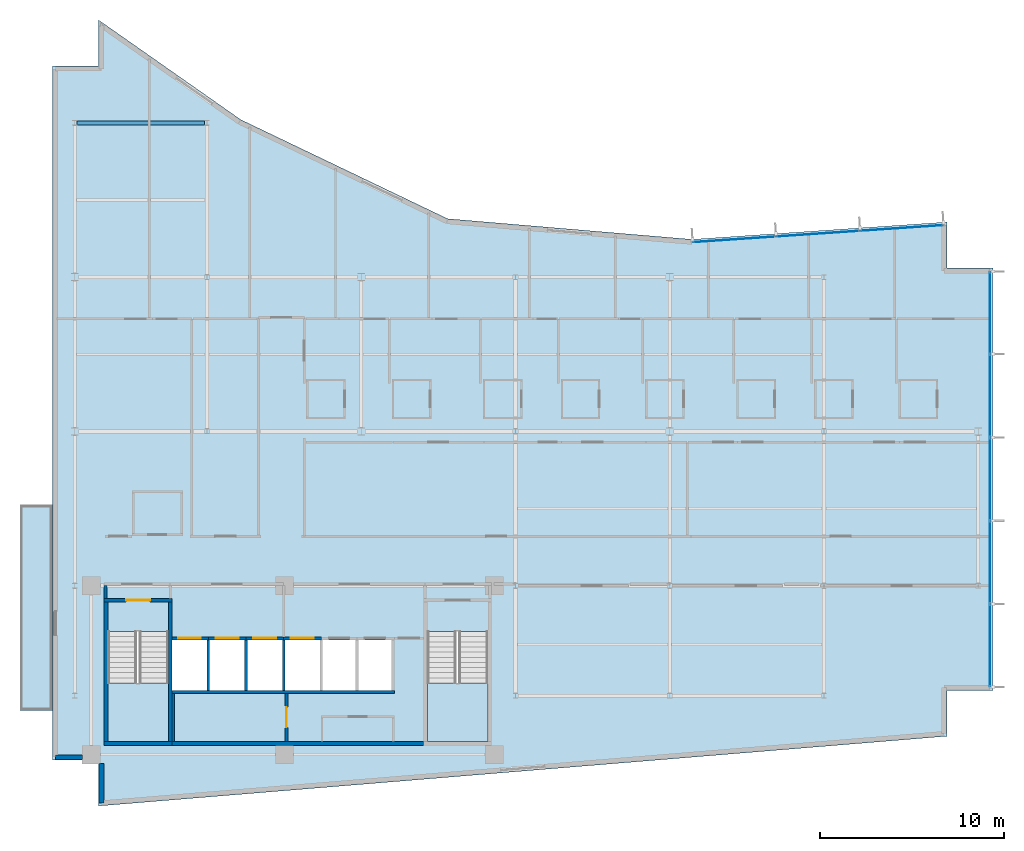
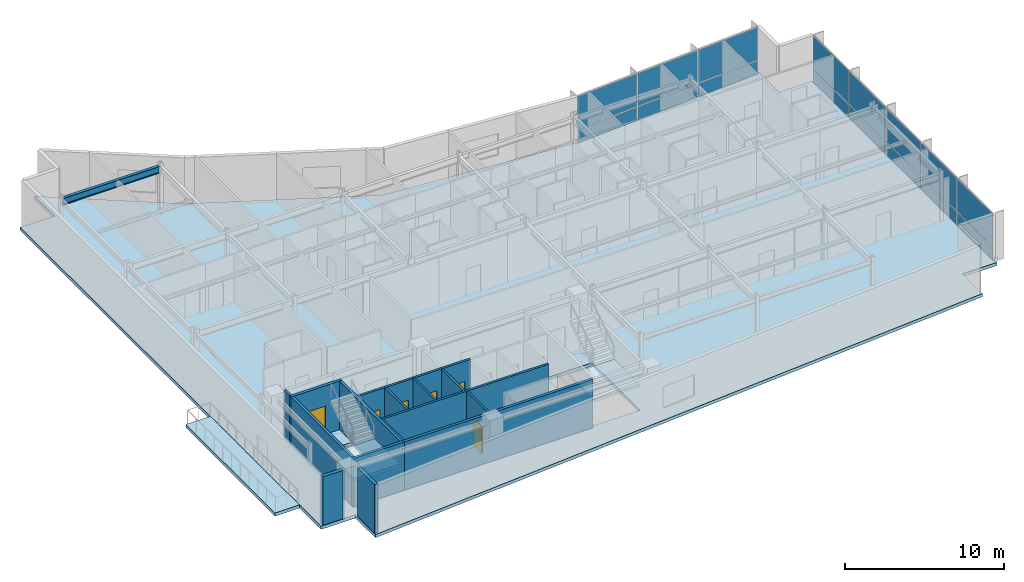
# One storey, part 10 of 17: 18 walls, 16 plates, 6 doors, 4 slabs, 1 beam, 6 openings, 4 elements without a shape of their own.
"""IFC4 building model written with IfcOpenShell, lengths in metres."""

from ifc_helpers import new_model, si_unit, direction, frame, frame_2d, origin, origin_2d, place, context, subcontext, project, spatial, polyline, rectangle, i_section, outline, extrude, material, layer, layer_set, material_profile, profile_set, type_object, element, fill, aggregate, save


model = new_model("IFC4")

# Units and contexts
model_context = context("Model", 3, precision=1e-05, world=origin(), true_north=direction((0.0, 1.0)))
body_context = subcontext(model_context, "Body", "Model", "MODEL_VIEW")
ifc_project = project(units=[si_unit("LENGTHUNIT", "METRE"), si_unit("AREAUNIT", "SQUARE_METRE"), si_unit("VOLUMEUNIT", "CUBIC_METRE"), si_unit("PLANEANGLEUNIT", "RADIAN"), si_unit("MASSUNIT", "GRAM", prefix="KILO")], contexts=[model_context])

# Site, building, storey
site_placement = place(None, origin())
site = spatial("IfcSite", under=ifc_project, at=site_placement, CompositionType="ELEMENT")
building_placement = place(site_placement, origin())
building = spatial("IfcBuilding", under=site, at=building_placement, Name="Varnakote Quay Hospital", CompositionType="ELEMENT")
storey_placement = place(building_placement, frame((0.0, 0.0, 219.75)))
storey = spatial("IfcBuildingStorey", under=building, at=storey_placement, Name="L54", CompositionType="ELEMENT", Elevation=219.75)

# Beam
ifc_material_1 = material(Name="Structural steel AS/NZS 3679.1 Grade 350 L0 (fy 340 MPa)", Category="steel")
ifc_material_profile = material_profile(ifc_material_1, i_section(OverallWidth=0.208984375, OverallDepth=0.532958984375, WebThickness=0.01025390625, FlangeThickness=0.015625, FilletRadius=0.013916015625, at=origin_2d()), Name="530UB92.4")
ifc_profile_set = profile_set([ifc_material_profile], Name="Structural steel AS/NZS 3679.1 Grade 350 L0 (fy 340 MPa)")
beam_type = type_object("IfcBeamType", Name="BM-STL-530UB92-4", PredefinedType="BEAM", material=ifc_profile_set)
beam_placement = place(storey_placement, frame((1.327880859375, 37.199951171875, 3.443603515625), z_axis=(1.0, 0.0, 0.0), x_axis=(0.0, 1.0, 0.0)))
element("IfcBeam", 1, at=beam_placement, inside=storey, type_object=beam_type, Name="L54 Primary Floor Beam", PredefinedType="BEAM", context=body_context, shape_type="SweptSolid", body=[
    extrude(i_section(OverallWidth=0.208984375, OverallDepth=0.532958984375, WebThickness=0.01025390625, FlangeThickness=0.015625, FilletRadius=0.013916015625, at=origin_2d()), origin(), (0.0, 0.0, 1.0), 6.944091796875),
])

# Curtain wall, plates
ifc_material_2 = material(Name="Anodised aluminium 6063-T6 Bronze", Category="aluminium")
ifc_layer_1 = layer(ifc_material_2, 0.219970703125)
ifc_layer_set_1 = layer_set([ifc_layer_1], Name="Anodised aluminium 6063-T6 Bronze")
curtain_wall_type = type_object("IfcCurtainWallType", Name="CW-SYS-4", PredefinedType="NOTDEFINED", material=ifc_layer_set_1)
curtain_wall_1_placement = place(storey_placement, origin())
curtain_wall_1 = element("IfcCurtainWall", 2, at=curtain_wall_1_placement, inside=storey, type_object=curtain_wall_type, Name="L54 Unitised Bronze Curtain Wall 1", PredefinedType="NOTDEFINED")
ifc_material_3 = material(Name="Double-glazed low-E solar glass", Category="glass")
ifc_layer_2 = layer(ifc_material_3, 0.028076171875)
ifc_layer_set_2 = layer_set([ifc_layer_2], Name="Double-glazed low-E solar glass")
plate_type = type_object("IfcPlateType", Name="CW-PNL-GLZ-28", PredefinedType="CURTAIN_PANEL", material=ifc_layer_set_2)
plate_1_placement = place(storey_placement, frame((51.0400390625, 8.744140625, 0.06494140625), z_axis=(0.0, 0.0, 1.0), x_axis=(0.0, 1.0, 0.0)))
plate_1 = element("IfcPlate", 3, at=plate_1_placement, type_object=plate_type, Name="-4-L54-1 panel 1.1", PredefinedType="CURTAIN_PANEL", context=body_context, shape_type="SweptSolid", body=[
    extrude(rectangle(XDim=4.4384765625, YDim=0.028076171875, at=origin_2d()), origin(), (0.0, 0.0, 1.0), 1.00244140625),
])
plate_2_placement = place(storey_placement, frame((51.0400390625, 8.744140625, 1.13232421875), z_axis=(0.0, 0.0, 1.0), x_axis=(0.0, 1.0, 0.0)))
plate_2 = element("IfcPlate", 4, at=plate_2_placement, type_object=plate_type, Name="-4-L54-1 panel 1.2", PredefinedType="CURTAIN_PANEL", context=body_context, shape_type="SweptSolid", body=[
    extrude(rectangle(XDim=4.4384765625, YDim=0.028076171875, at=origin_2d()), origin(), (0.0, 0.0, 1.0), 2.512451171875),
])
plate_3_placement = place(storey_placement, frame((51.0400390625, 13.263916015625, 0.06494140625), z_axis=(0.0, 0.0, 1.0), x_axis=(0.0, 1.0, 0.0)))
plate_3 = element("IfcPlate", 5, at=plate_3_placement, type_object=plate_type, Name="-4-L54-1 panel 2.1", PredefinedType="CURTAIN_PANEL", context=body_context, shape_type="SweptSolid", body=[
    extrude(rectangle(XDim=4.470947265625, YDim=0.028076171875, at=origin_2d()), origin(), (0.0, 0.0, 1.0), 1.00244140625),
])
plate_4_placement = place(storey_placement, frame((51.0400390625, 13.263916015625, 1.13232421875), z_axis=(0.0, 0.0, 1.0), x_axis=(0.0, 1.0, 0.0)))
plate_4 = element("IfcPlate", 6, at=plate_4_placement, type_object=plate_type, Name="-4-L54-1 panel 2.2", PredefinedType="CURTAIN_PANEL", context=body_context, shape_type="SweptSolid", body=[
    extrude(rectangle(XDim=4.470947265625, YDim=0.028076171875, at=origin_2d()), origin(), (0.0, 0.0, 1.0), 2.512451171875),
])
plate_5_placement = place(storey_placement, frame((51.0400390625, 17.800048828125, 0.06494140625), z_axis=(0.0, 0.0, 1.0), x_axis=(0.0, 1.0, 0.0)))
plate_5 = element("IfcPlate", 7, at=plate_5_placement, type_object=plate_type, Name="-4-L54-1 panel 3.1", PredefinedType="CURTAIN_PANEL", context=body_context, shape_type="SweptSolid", body=[
    extrude(rectangle(XDim=4.470947265625, YDim=0.028076171875, at=origin_2d()), origin(), (0.0, 0.0, 1.0), 1.00244140625),
])
plate_6_placement = place(storey_placement, frame((51.0400390625, 17.800048828125, 1.13232421875), z_axis=(0.0, 0.0, 1.0), x_axis=(0.0, 1.0, 0.0)))
plate_6 = element("IfcPlate", 8, at=plate_6_placement, type_object=plate_type, Name="-4-L54-1 panel 3.2", PredefinedType="CURTAIN_PANEL", context=body_context, shape_type="SweptSolid", body=[
    extrude(rectangle(XDim=4.470947265625, YDim=0.028076171875, at=origin_2d()), origin(), (0.0, 0.0, 1.0), 2.512451171875),
])
plate_7_placement = place(storey_placement, frame((51.0400390625, 22.3359375, 0.06494140625), z_axis=(0.0, 0.0, 1.0), x_axis=(0.0, 1.0, 0.0)))
plate_7 = element("IfcPlate", 9, at=plate_7_placement, type_object=plate_type, Name="-4-L54-1 panel 4.1", PredefinedType="CURTAIN_PANEL", context=body_context, shape_type="SweptSolid", body=[
    extrude(rectangle(XDim=4.470947265625, YDim=0.028076171875, at=origin_2d()), origin(), (0.0, 0.0, 1.0), 1.00244140625),
])
plate_8_placement = place(storey_placement, frame((51.0400390625, 22.3359375, 1.13232421875), z_axis=(0.0, 0.0, 1.0), x_axis=(0.0, 1.0, 0.0)))
plate_8 = element("IfcPlate", 10, at=plate_8_placement, type_object=plate_type, Name="-4-L54-1 panel 4.2", PredefinedType="CURTAIN_PANEL", context=body_context, shape_type="SweptSolid", body=[
    extrude(rectangle(XDim=4.470947265625, YDim=0.028076171875, at=origin_2d()), origin(), (0.0, 0.0, 1.0), 2.512451171875),
])
plate_9_placement = place(storey_placement, frame((51.0400390625, 26.855712890625, 0.06494140625), z_axis=(0.0, 0.0, 1.0), x_axis=(0.0, 1.0, 0.0)))
plate_9 = element("IfcPlate", 11, at=plate_9_placement, type_object=plate_type, Name="-4-L54-1 panel 5.1", PredefinedType="CURTAIN_PANEL", context=body_context, shape_type="SweptSolid", body=[
    extrude(rectangle(XDim=4.4384765625, YDim=0.028076171875, at=origin_2d()), origin(), (0.0, 0.0, 1.0), 1.00244140625),
])
plate_10_placement = place(storey_placement, frame((51.0400390625, 26.855712890625, 1.13232421875), z_axis=(0.0, 0.0, 1.0), x_axis=(0.0, 1.0, 0.0)))
plate_10 = element("IfcPlate", 12, at=plate_10_placement, type_object=plate_type, Name="-4-L54-1 panel 5.2", PredefinedType="CURTAIN_PANEL", context=body_context, shape_type="SweptSolid", body=[
    extrude(rectangle(XDim=4.4384765625, YDim=0.028076171875, at=origin_2d()), origin(), (0.0, 0.0, 1.0), 2.512451171875),
])
aggregate(curtain_wall_1, [plate_1, plate_2, plate_3, plate_4, plate_5, plate_6, plate_7, plate_8, plate_9, plate_10])

curtain_wall_2_placement = place(storey_placement, origin())
curtain_wall_2 = element("IfcCurtainWall", 13, at=curtain_wall_2_placement, inside=storey, type_object=curtain_wall_type, Name="L54 Unitised Bronze Curtain Wall 2", PredefinedType="NOTDEFINED")
plate_11_placement = place(storey_placement, frame((46.236328125, 31.47216796875, 0.06494140625), z_axis=(0.0, 0.0, 1.0), x_axis=(-0.997696087615, -0.067841851077, 0.0)))
plate_11 = element("IfcPlate", 14, at=plate_11_placement, type_object=plate_type, Name="-4-L54-2 panel 1.1", PredefinedType="CURTAIN_PANEL", context=body_context, shape_type="SweptSolid", body=[
    extrude(rectangle(XDim=4.48828125, YDim=0.028076171875, at=origin_2d()), origin(), (0.0, 0.0, 1.0), 1.00244140625),
])
plate_12_placement = place(storey_placement, frame((46.236328125, 31.47216796875, 1.13232421875), z_axis=(0.0, 0.0, 1.0), x_axis=(-0.997696087615, -0.067841851077, 0.0)))
plate_12 = element("IfcPlate", 15, at=plate_12_placement, type_object=plate_type, Name="-4-L54-2 panel 1.2", PredefinedType="CURTAIN_PANEL", context=body_context, shape_type="SweptSolid", body=[
    extrude(rectangle(XDim=4.48828125, YDim=0.028076171875, at=origin_2d()), origin(), (0.0, 0.0, 1.0), 2.512451171875),
])
plate_13_placement = place(storey_placement, frame((41.67724609375, 31.162109375, 0.06494140625), z_axis=(0.0, 0.0, 1.0), x_axis=(-0.997696087615, -0.067841851077, 0.0)))
plate_13 = element("IfcPlate", 16, at=plate_13_placement, type_object=plate_type, Name="-4-L54-2 panel 2.1", PredefinedType="CURTAIN_PANEL", context=body_context, shape_type="SweptSolid", body=[
    extrude(rectangle(XDim=4.520751953125, YDim=0.028076171875, at=origin_2d()), origin(), (0.0, 0.0, 1.0), 1.00244140625),
])
plate_14_placement = place(storey_placement, frame((41.67724609375, 31.162109375, 1.13232421875), z_axis=(0.0, 0.0, 1.0), x_axis=(-0.997696087615, -0.067841851077, 0.0)))
plate_14 = element("IfcPlate", 17, at=plate_14_placement, type_object=plate_type, Name="-4-L54-2 panel 2.2", PredefinedType="CURTAIN_PANEL", context=body_context, shape_type="SweptSolid", body=[
    extrude(rectangle(XDim=4.520751953125, YDim=0.028076171875, at=origin_2d()), origin(), (0.0, 0.0, 1.0), 2.512451171875),
])
plate_15_placement = place(storey_placement, frame((37.118408203125, 30.85205078125, 0.06494140625), z_axis=(0.0, 0.0, 1.0), x_axis=(-0.997696087615, -0.067841851077, 0.0)))
plate_15 = element("IfcPlate", 18, at=plate_15_placement, type_object=plate_type, Name="-4-L54-2 panel 3.1", PredefinedType="CURTAIN_PANEL", context=body_context, shape_type="SweptSolid", body=[
    extrude(rectangle(XDim=4.48828125, YDim=0.028076171875, at=origin_2d()), origin(), (0.0, 0.0, 1.0), 1.00244140625),
])
plate_16_placement = place(storey_placement, frame((37.118408203125, 30.85205078125, 1.13232421875), z_axis=(0.0, 0.0, 1.0), x_axis=(-0.997696087615, -0.067841851077, 0.0)))
plate_16 = element("IfcPlate", 19, at=plate_16_placement, type_object=plate_type, Name="-4-L54-2 panel 3.2", PredefinedType="CURTAIN_PANEL", context=body_context, shape_type="SweptSolid", body=[
    extrude(rectangle(XDim=4.48828125, YDim=0.028076171875, at=origin_2d()), origin(), (0.0, 0.0, 1.0), 2.512451171875),
])
aggregate(curtain_wall_2, [plate_11, plate_12, plate_13, plate_14, plate_15, plate_16])

# Stair, slab
ifc_material_4 = material(Name="Concrete N40 (f'c 40 MPa)", Category="concrete")
stair_type = type_object("IfcStairType", Name="STR-CORE-1580", PredefinedType="HALF_TURN_STAIR", material=ifc_material_4)
stair_1_placement = place(storey_placement, origin())
stair_1 = element("IfcStair", 20, at=stair_1_placement, inside=storey, type_object=stair_type, Name="L54 Fire-Isolated Exit Stair ST-01", PredefinedType="HALF_TURN_STAIR")
ifc_material_5 = material(Name="Concrete N40 (f'c 40 MPa)", Category="concrete")
ifc_layer_3 = layer(ifc_material_5, 0.199951171875)
ifc_layer_set_3 = layer_set([ifc_layer_3], Name="Concrete N40 (f'c 40 MPa)")
slab_type_1 = type_object("IfcSlabType", Name="SLB-STAIR-LND-200", PredefinedType="LANDING", material=ifc_layer_set_3)
slab_1_placement = place(storey_placement, frame((0.0, 0.0, 1.77490234375)))
slab_1 = element("IfcSlab", 21, at=slab_1_placement, type_object=slab_type_1, Name="ST-01 landing 1", PredefinedType="LANDING", context=body_context, shape_type="SweptSolid", body=[
    extrude(outline(polyline([(3.0, 6.699951171875), (3.0, 3.5), (6.300048828125, 3.5), (6.300048828125, 6.699951171875), (3.0, 6.699951171875)])), origin(), (0.0, 0.0, 1.0), 0.2001953125),
])
aggregate(stair_1, [slab_1])

stair_2_placement = place(storey_placement, origin())
stair_2 = element("IfcStair", 22, at=stair_2_placement, inside=storey, type_object=stair_type, Name="L54 Fire-Isolated Exit Stair ST-02", PredefinedType="HALF_TURN_STAIR")
slab_2_placement = place(storey_placement, frame((0.0, 0.0, 1.77490234375)))
slab_2 = element("IfcSlab", 23, at=slab_2_placement, type_object=slab_type_1, Name="ST-02 landing 1", PredefinedType="LANDING", context=body_context, shape_type="SweptSolid", body=[
    extrude(outline(polyline([(20.39990234375, 6.699951171875), (20.39990234375, 3.5), (23.699951171875, 3.5), (23.699951171875, 6.699951171875), (20.39990234375, 6.699951171875)])), origin(), (0.0, 0.0, 1.0), 0.2001953125),
])
aggregate(stair_2, [slab_2])

# Slabs
ifc_material_6 = material(Name="Concrete N50 (f'c 50 MPa)", Category="concrete")
ifc_layer_4 = layer(ifc_material_6, 0.239990234375)
ifc_layer_set_4 = layer_set([ifc_layer_4], Name="Concrete N50 (f'c 50 MPa)")
slab_type_2 = type_object("IfcSlabType", Name="SLB-TERR-200", PredefinedType="FLOOR", material=ifc_layer_set_4)
slab_3_placement = place(storey_placement, frame((0.0, 0.0, -0.239990234375)))
element("IfcSlab", 24, at=slab_3_placement, inside=storey, type_object=slab_type_2, Name="L54 Waterfront Healing Terrace Slab", PredefinedType="FLOOR", context=body_context, shape_type="SweptSolid", body=[
    extrude(outline(polyline([(0.00390625, 5.199951171875), (0.00390625, 16.39990234375), (-1.780029296875, 16.39990234375), (-1.780029296875, 5.199951171875), (0.00390625, 5.199951171875)])), origin(), (0.0, 0.0, 1.0), 0.239990234375),
])
ifc_material_7 = material(Name="Concrete N50 (f'c 50 MPa)", Category="concrete")
ifc_layer_5 = layer(ifc_material_7, 0.239990234375)
ifc_layer_set_5 = layer_set([ifc_layer_5], Name="Concrete N50 (f'c 50 MPa)")
slab_type_3 = type_object("IfcSlabType", Name="SLB-WARD-200", PredefinedType="FLOOR", material=ifc_layer_set_5)
slab_4_placement = place(storey_placement, frame((0.0, 0.0, -0.239990234375)))
element("IfcSlab", 25, at=slab_4_placement, inside=storey, type_object=slab_type_3, Name="L54 Primary Floor Slab", PredefinedType="FLOOR", context=body_context, shape_type="SweptSolid", body=[
    extrude(outline(polyline([(0.0, 2.5), (2.5, 2.5), (2.5, 0.0), (48.699951171875, 3.800048828125), (48.699951171875, 6.300048828125), (51.199951171875, 6.300048828125), (51.199951171875, 29.300048828125), (48.699951171875, 29.300048828125), (48.699951171875, 31.800048828125), (34.81591796875, 30.85595703125), (21.50390625, 31.97998046875), (10.239990234375, 37.3759765625), (2.5, 42.800048828125), (2.5, 40.300048828125), (0.0, 40.300048828125), (0.0, 2.5)]), holes=[polyline([(3.0, 3.5), (6.300048828125, 3.5), (6.300048828125, 9.49951171875), (3.0, 9.49951171875), (3.0, 3.5)]), polyline([(20.39990234375, 3.5), (23.699951171875, 3.5), (23.699951171875, 9.49951171875), (20.39990234375, 9.49951171875), (20.39990234375, 3.5)]), polyline([(6.5, 6.300048828125), (8.39990234375, 6.300048828125), (8.39990234375, 9.050048828125), (6.5, 9.050048828125), (6.5, 6.300048828125)]), polyline([(8.550048828125, 6.300048828125), (10.449951171875, 6.300048828125), (10.449951171875, 9.050048828125), (8.550048828125, 9.050048828125), (8.550048828125, 6.300048828125)]), polyline([(10.60009765625, 6.300048828125), (12.5, 6.300048828125), (12.5, 9.050048828125), (10.60009765625, 9.050048828125), (10.60009765625, 6.300048828125)]), polyline([(12.64990234375, 6.300048828125), (14.550048828125, 6.300048828125), (14.550048828125, 9.050048828125), (12.64990234375, 9.050048828125), (12.64990234375, 6.300048828125)]), polyline([(14.699951171875, 6.300048828125), (16.5, 6.300048828125), (16.5, 9.050048828125), (14.699951171875, 9.050048828125), (14.699951171875, 6.300048828125)]), polyline([(16.64990234375, 6.300048828125), (18.449951171875, 6.300048828125), (18.449951171875, 9.050048828125), (16.64990234375, 9.050048828125), (16.64990234375, 6.300048828125)])]), origin(), (0.0, 0.0, 1.0), 0.239990234375),
])

# Walls
ifc_material_8 = material(Name="Fire-rated acoustic gypsum stud wall", Category="gypsum")
ifc_layer_6 = layer(ifc_material_8, 0.159912109375)
ifc_layer_set_6 = layer_set([ifc_layer_6], Name="Fire-rated acoustic gypsum stud wall")
wall_type_1 = type_object("IfcWallType", Name="WL-COMP-160", PredefinedType="PARTITIONING", material=ifc_layer_set_6)
wall_1_placement = place(storey_placement, frame((2.8798828125, 11.300048828125, 0.0), z_axis=(0.0, 0.0, 1.0), x_axis=(0.0, 1.0, 0.0)))
element("IfcWall", 26, at=wall_1_placement, inside=storey, type_object=wall_type_1, Name="L54 West Stair Vestibule West Wall", PredefinedType="PARTITIONING", context=body_context, shape_type="SweptSolid", body=[
    extrude(rectangle(XDim=0.699951171875, YDim=0.159912109375, at=frame_2d((0.35009765625, 0.0))), origin(), (0.0, 0.0, 1.0), 3.7099609375),
])
ifc_material_9 = material(Name="Concrete N50 (f'c 50 MPa)", Category="concrete")
ifc_layer_7 = layer(ifc_material_9, 0.199951171875)
ifc_layer_set_7 = layer_set([ifc_layer_7], Name="Concrete N50 (f'c 50 MPa)")
wall_type_2 = type_object("IfcWallType", Name="WL-CORE-N50-200", PredefinedType="SHEAR", material=ifc_layer_set_7)
wall_2_placement = place(storey_placement, frame((6.5, 3.39990234375, 0.0), z_axis=(0.0, 0.0, 1.0), x_axis=(1.0, 0.0, 0.0)))
element("IfcWall", 27, at=wall_2_placement, inside=storey, type_object=wall_type_2, Name="L54 Rear Core South Shear Wall", PredefinedType="SHEAR", context=body_context, shape_type="SweptSolid", body=[
    extrude(rectangle(XDim=13.699951171875, YDim=0.199951171875, at=frame_2d((6.85009765625, 0.0))), origin(), (0.0, 0.0, 1.0), 3.7099609375),
])
ifc_material_10 = material(Name="Precast concrete N50 (f'c 50 MPa)", Category="concrete")
ifc_layer_8 = layer(ifc_material_10, 0.260009765625)
ifc_layer_set_8 = layer_set([ifc_layer_8], Name="Precast concrete N50 (f'c 50 MPa)")
wall_type_3 = type_object("IfcWallType", Name="WL-EXT-BRICK-260", PredefinedType="STANDARD", material=ifc_layer_set_8)
wall_3_placement = place(storey_placement, frame((2.659912109375, 2.31494140625, 0.0), z_axis=(0.0, 0.0, 1.0), x_axis=(0.0, -1.0, 0.0)))
element("IfcWall", 28, at=wall_3_placement, inside=storey, type_object=wall_type_3, Name="L54 Brick-Faced Precast Exterior Wall", PredefinedType="STANDARD", context=body_context, shape_type="SweptSolid", body=[
    extrude(rectangle(XDim=2.141357421875, YDim=0.260009765625, at=frame_2d((1.07080078125, 0.0))), origin(), (0.0, 0.0, 1.0), 3.7099609375),
])
wall_4_placement = place(storey_placement, frame((0.159912109375, 2.659912109375, 0.0), z_axis=(0.0, 0.0, 1.0), x_axis=(1.0, 0.0, 0.0)))
element("IfcWall", 29, at=wall_4_placement, inside=storey, type_object=wall_type_3, Name="L54 Brick-Faced Precast Exterior Wall", PredefinedType="STANDARD", context=body_context, shape_type="SweptSolid", body=[
    extrude(rectangle(XDim=1.455078125, YDim=0.260009765625, at=frame_2d((0.7275390625, 0.0))), origin(), (0.0, 0.0, 1.0), 3.7099609375),
])
ifc_material_11 = material(Name="Concrete N50 (f'c 50 MPa)", Category="concrete")
ifc_layer_9 = layer(ifc_material_11, 0.14990234375)
ifc_layer_set_9 = layer_set([ifc_layer_9], Name="Concrete N50 (f'c 50 MPa)")
wall_type_4 = type_object("IfcWallType", Name="WL-SHAFT-N50-150", PredefinedType="SHEAR", material=ifc_layer_set_9)
for number, where, z_axis, x_axis, name in (
    (30, (8.47509765625, 6.300048828125, 0.0), (0.0, 0.0, 1.0), (0.0, 1.0, 0.0), "L54 LF-FF1 Hoistway Divider Wall"),
    (31, (10.52490234375, 6.300048828125, 0.0), (0.0, 0.0, 1.0), (0.0, 1.0, 0.0), "L54 LF-FF2 Hoistway Divider Wall"),
    (32, (12.574951171875, 6.300048828125, 0.0), (0.0, 0.0, 1.0), (0.0, 1.0, 0.0), "L54 LF-SV1 Hoistway Divider Wall"),
):
    element("IfcWall", number, at=place(storey_placement, frame(where, z_axis=z_axis, x_axis=x_axis)), inside=storey, type_object=wall_type_4, Name=name, PredefinedType="SHEAR", context=body_context, shape_type="SweptSolid", body=[
        extrude(rectangle(XDim=2.75, YDim=0.14990234375, at=frame_2d((1.375, 0.0))), origin(), (0.0, 0.0, 1.0), 3.7099609375),
    ])
ifc_material_12 = material(Name="Concrete N50 (f'c 50 MPa)", Category="concrete")
ifc_layer_10 = layer(ifc_material_12, 0.159912109375)
ifc_layer_set_10 = layer_set([ifc_layer_10], Name="Concrete N50 (f'c 50 MPa)")
wall_type_5 = type_object("IfcWallType", Name="WL-SHAFT-N50-160", PredefinedType="SHEAR", material=ifc_layer_set_10)
wall_5_placement = place(storey_placement, frame((6.5, 6.219970703125, 0.0), z_axis=(0.0, 0.0, 1.0), x_axis=(1.0, 0.0, 0.0)))
element("IfcWall", 33, at=wall_5_placement, inside=storey, type_object=wall_type_5, Name="L54 REAR Lift Bank Back Shear Wall", PredefinedType="SHEAR", context=body_context, shape_type="SweptSolid", body=[
    extrude(rectangle(XDim=12.110107421875, YDim=0.159912109375, at=frame_2d((6.05517578125, 0.0))), origin(), (0.0, 0.0, 1.0), 3.7099609375),
])

# Wall, opening, door
wall_6_placement = place(storey_placement, frame((6.5, 9.1298828125, 0.0), z_axis=(0.0, 0.0, 1.0), x_axis=(1.0, 0.0, 0.0)))
wall_6 = element("IfcWall", 34, at=wall_6_placement, inside=storey, type_object=wall_type_5, Name="L54 LF-FF1 Hoistway Front Wall", PredefinedType="SHEAR", context=body_context, shape_type="SweptSolid", body=[
    extrude(rectangle(XDim=1.97509765625, YDim=0.159912109375, at=frame_2d((0.987548828125, 0.0))), origin(), (0.0, 0.0, 1.0), 3.7099609375),
])
opening_1_placement = place(wall_6_placement, frame((0.324951171875, 0.0, 0.0)))
opening_1 = element("IfcOpeningElement", 35, at=opening_1_placement, cuts=wall_6, Name="Opening LD-FF1-L54", PredefinedType="OPENING", context=body_context, shape_type="SweptSolid", body=[
    extrude(rectangle(XDim=1.25, YDim=2.14990234375, at=frame_2d((0.625, 1.074951171875))), frame((0.0, 0.08984375, 0.0), z_axis=(0.0, -1.0, 0.0), x_axis=(1.0, 0.0, 0.0)), (0.0, 0.0, 1.0), 0.179931640625),
])
ifc_material_13 = material(Name="Stainless steel lift landing sliding door", Category="steel")
door_type_1 = type_object("IfcDoorType", Name="DR-LIFT-LD-1250x2150", OperationType="NOTDEFINED", PredefinedType="DOOR", material=ifc_material_13)
door_1_placement = place(opening_1_placement, origin())
door_1 = element("IfcDoor", 36, at=door_1_placement, inside=storey, type_object=door_type_1, Name="L54 LF-FF1 Lift Landing Sliding Door", OperationType="SLIDING_TO_LEFT", OverallHeight=2.14990234375, OverallWidth=1.25, PredefinedType="DOOR", context=body_context, shape_type="SweptSolid", body=[
    extrude(rectangle(XDim=1.25, YDim=2.14990234375, at=frame_2d((0.625, 1.074951171875))), frame((0.0, 0.02490234375, 0.0), z_axis=(0.0, -1.0, 0.0), x_axis=(1.0, 0.0, 0.0)), (0.0, 0.0, 1.0), 0.050048828125),
])
fill(opening_1, door_1)

wall_7_placement = place(storey_placement, frame((8.47509765625, 9.1298828125, 0.0), z_axis=(0.0, 0.0, 1.0), x_axis=(1.0, 0.0, 0.0)))
wall_7 = element("IfcWall", 37, at=wall_7_placement, inside=storey, type_object=wall_type_5, Name="L54 LF-FF2 Hoistway Front Wall", PredefinedType="SHEAR", context=body_context, shape_type="SweptSolid", body=[
    extrude(rectangle(XDim=2.0498046875, YDim=0.159912109375, at=frame_2d((1.02490234375, 0.0))), origin(), (0.0, 0.0, 1.0), 3.7099609375),
])
opening_2_placement = place(wall_7_placement, frame((0.39990234375, 0.0, 0.0)))
opening_2 = element("IfcOpeningElement", 38, at=opening_2_placement, cuts=wall_7, Name="Opening LD-FF2-L54", PredefinedType="OPENING", context=body_context, shape_type="SweptSolid", body=[
    extrude(rectangle(XDim=1.25, YDim=2.14990234375, at=frame_2d((0.625, 1.074951171875))), frame((0.0, 0.08984375, 0.0), z_axis=(0.0, -1.0, 0.0), x_axis=(1.0, 0.0, 0.0)), (0.0, 0.0, 1.0), 0.179931640625),
])
door_2_placement = place(opening_2_placement, origin())
door_2 = element("IfcDoor", 39, at=door_2_placement, inside=storey, type_object=door_type_1, Name="L54 LF-FF2 Lift Landing Sliding Door", OperationType="SLIDING_TO_LEFT", OverallHeight=2.14990234375, OverallWidth=1.25, PredefinedType="DOOR", context=body_context, shape_type="SweptSolid", body=[
    extrude(rectangle(XDim=1.25, YDim=2.14990234375, at=frame_2d((0.625, 1.074951171875))), frame((0.0, 0.02490234375, 0.0), z_axis=(0.0, -1.0, 0.0), x_axis=(1.0, 0.0, 0.0)), (0.0, 0.0, 1.0), 0.050048828125),
])
fill(opening_2, door_2)

wall_8_placement = place(storey_placement, frame((10.52490234375, 9.1298828125, 0.0), z_axis=(0.0, 0.0, 1.0), x_axis=(1.0, 0.0, 0.0)))
wall_8 = element("IfcWall", 40, at=wall_8_placement, inside=storey, type_object=wall_type_5, Name="L54 LF-SV1 Hoistway Front Wall", PredefinedType="SHEAR", context=body_context, shape_type="SweptSolid", body=[
    extrude(rectangle(XDim=2.050048828125, YDim=0.159912109375, at=frame_2d((1.02490234375, 0.0))), origin(), (0.0, 0.0, 1.0), 3.7099609375),
])
opening_3_placement = place(wall_8_placement, frame((0.39990234375, 0.0, 0.0)))
opening_3 = element("IfcOpeningElement", 41, at=opening_3_placement, cuts=wall_8, Name="Opening LD-SV1-L54", PredefinedType="OPENING", context=body_context, shape_type="SweptSolid", body=[
    extrude(rectangle(XDim=1.25, YDim=2.14990234375, at=frame_2d((0.625, 1.074951171875))), frame((0.0, 0.08984375, 0.0), z_axis=(0.0, -1.0, 0.0), x_axis=(1.0, 0.0, 0.0)), (0.0, 0.0, 1.0), 0.179931640625),
])
door_3_placement = place(opening_3_placement, origin())
door_3 = element("IfcDoor", 42, at=door_3_placement, inside=storey, type_object=door_type_1, Name="L54 LF-SV1 Lift Landing Sliding Door", OperationType="SLIDING_TO_LEFT", OverallHeight=2.14990234375, OverallWidth=1.25, PredefinedType="DOOR", context=body_context, shape_type="SweptSolid", body=[
    extrude(rectangle(XDim=1.25, YDim=2.14990234375, at=frame_2d((0.625, 1.074951171875))), frame((0.0, 0.02490234375, 0.0), z_axis=(0.0, -1.0, 0.0), x_axis=(1.0, 0.0, 0.0)), (0.0, 0.0, 1.0), 0.050048828125),
])
fill(opening_3, door_3)

wall_9_placement = place(storey_placement, frame((12.574951171875, 9.1298828125, 0.0), z_axis=(0.0, 0.0, 1.0), x_axis=(1.0, 0.0, 0.0)))
wall_9 = element("IfcWall", 43, at=wall_9_placement, inside=storey, type_object=wall_type_5, Name="L54 LF-SV2 Hoistway Front Wall", PredefinedType="SHEAR", context=body_context, shape_type="SweptSolid", body=[
    extrude(rectangle(XDim=2.050048828125, YDim=0.159912109375, at=frame_2d((1.02490234375, 0.0))), origin(), (0.0, 0.0, 1.0), 3.7099609375),
])
opening_4_placement = place(wall_9_placement, frame((0.39990234375, 0.0, 0.0)))
opening_4 = element("IfcOpeningElement", 44, at=opening_4_placement, cuts=wall_9, Name="Opening LD-SV2-L54", PredefinedType="OPENING", context=body_context, shape_type="SweptSolid", body=[
    extrude(rectangle(XDim=1.25, YDim=2.14990234375, at=frame_2d((0.625, 1.074951171875))), frame((0.0, 0.08984375, 0.0), z_axis=(0.0, -1.0, 0.0), x_axis=(1.0, 0.0, 0.0)), (0.0, 0.0, 1.0), 0.179931640625),
])
door_4_placement = place(opening_4_placement, origin())
door_4 = element("IfcDoor", 45, at=door_4_placement, inside=storey, type_object=door_type_1, Name="L54 LF-SV2 Lift Landing Sliding Door", OperationType="SLIDING_TO_LEFT", OverallHeight=2.14990234375, OverallWidth=1.25, PredefinedType="DOOR", context=body_context, shape_type="SweptSolid", body=[
    extrude(rectangle(XDim=1.25, YDim=2.14990234375, at=frame_2d((0.625, 1.074951171875))), frame((0.0, 0.02490234375, 0.0), z_axis=(0.0, -1.0, 0.0), x_axis=(1.0, 0.0, 0.0)), (0.0, 0.0, 1.0), 0.050048828125),
])
fill(opening_4, door_4)

# Walls
ifc_material_14 = material(Name="Concrete N50 (f'c 50 MPa)", Category="concrete")
ifc_layer_11 = layer(ifc_material_14, 0.199951171875)
ifc_layer_set_11 = layer_set([ifc_layer_11], Name="Concrete N50 (f'c 50 MPa)")
wall_type_6 = type_object("IfcWallType", Name="WL-SHAFT-N50-200", PredefinedType="SHEAR", material=ifc_layer_set_11)
wall_10_placement = place(storey_placement, frame((2.800048828125, 3.39990234375, 0.0), z_axis=(0.0, 0.0, 1.0), x_axis=(1.0, 0.0, 0.0)))
element("IfcWall", 46, at=wall_10_placement, inside=storey, type_object=wall_type_6, Name="L54 Stair ST1 South Shaft Wall", PredefinedType="SHEAR", context=body_context, shape_type="SweptSolid", body=[
    extrude(rectangle(XDim=3.699951171875, YDim=0.199951171875, at=frame_2d((1.85009765625, 0.0))), origin(), (0.0, 0.0, 1.0), 3.7099609375),
])
for number, where, z_axis, x_axis, name in (
    (47, (2.89990234375, 3.5, 0.0), (0.0, 0.0, 1.0), (0.0, 1.0, 0.0), "L54 Stair ST1 West Shaft Wall"),
    (48, (6.39990234375, 3.5, 0.0), (0.0, 0.0, 1.0), (0.0, 1.0, 0.0), "L54 Stair ST1 East Shaft Wall"),
):
    element("IfcWall", number, at=place(storey_placement, frame(where, z_axis=z_axis, x_axis=x_axis)), inside=storey, type_object=wall_type_6, Name=name, PredefinedType="SHEAR", context=body_context, shape_type="SweptSolid", body=[
        extrude(rectangle(XDim=7.60009765625, YDim=0.199951171875, at=frame_2d((3.800048828125, 0.0))), origin(), (0.0, 0.0, 1.0), 3.7099609375),
    ])

# Wall, opening, door
wall_11_placement = place(storey_placement, frame((2.800048828125, 11.199951171875, 0.0), z_axis=(0.0, 0.0, 1.0), x_axis=(1.0, 0.0, 0.0)))
wall_11 = element("IfcWall", 49, at=wall_11_placement, inside=storey, type_object=wall_type_6, Name="L54 Stair ST1 Exit Wall", PredefinedType="SHEAR", context=body_context, shape_type="SweptSolid", body=[
    extrude(rectangle(XDim=3.699951171875, YDim=0.199951171875, at=frame_2d((1.85009765625, 0.0))), origin(), (0.0, 0.0, 1.0), 3.7099609375),
])
opening_5_placement = place(wall_11_placement, frame((1.199951171875, 0.0, 0.0)))
opening_5 = element("IfcOpeningElement", 50, at=opening_5_placement, cuts=wall_11, Name="Opening D-ST1-L54", PredefinedType="OPENING", context=body_context, shape_type="SweptSolid", body=[
    extrude(rectangle(XDim=1.300048828125, YDim=2.14990234375, at=frame_2d((0.64990234375, 1.074951171875))), frame((0.0, 0.10986328125, 0.0), z_axis=(0.0, -1.0, 0.0), x_axis=(1.0, 0.0, 0.0)), (0.0, 0.0, 1.0), 0.219970703125),
])
ifc_material_15 = material(Name="Fire-rated ceramic-glazed timber exit door", Category="wood")
door_type_2 = type_object("IfcDoorType", Name="DR-STAIR-FD60S-1300x2150", OperationType="NOTDEFINED", PredefinedType="DOOR", material=ifc_material_15)
door_5_placement = place(opening_5_placement, origin())
door_5 = element("IfcDoor", 51, at=door_5_placement, inside=storey, type_object=door_type_2, Name="L54 Stair ST1 Fire Exit Door", OperationType="SINGLE_SWING_LEFT", OverallHeight=2.14990234375, OverallWidth=1.300048828125, PredefinedType="DOOR", context=body_context, shape_type="SweptSolid", body=[
    extrude(rectangle(XDim=1.300048828125, YDim=2.14990234375, at=frame_2d((0.64990234375, 1.074951171875))), frame((0.0, 0.02490234375, 0.0), z_axis=(0.0, -1.0, 0.0), x_axis=(1.0, 0.0, 0.0)), (0.0, 0.0, 1.0), 0.050048828125),
])
fill(opening_5, door_5)

# Wall
ifc_material_16 = material(Name="Smoke-proof clinical partition", Category="gypsum")
ifc_layer_12 = layer(ifc_material_16, 0.1201171875)
ifc_layer_set_12 = layer_set([ifc_layer_12], Name="Smoke-proof clinical partition")
wall_type_7 = type_object("IfcWallType", Name="WL-SMOKE-120", PredefinedType="PARTITIONING", material=ifc_layer_set_12)
wall_12_placement = place(storey_placement, frame((6.56005859375, 3.52001953125, 0.0), z_axis=(0.0, 0.0, 1.0), x_axis=(0.0, 1.0, 0.0)))
element("IfcWall", 52, at=wall_12_placement, inside=storey, type_object=wall_type_7, Name="L54 Core West Store West Wall", PredefinedType="PARTITIONING", context=body_context, shape_type="SweptSolid", body=[
    extrude(rectangle(XDim=2.619873046875, YDim=0.1201171875, at=frame_2d((1.31005859375, 0.0))), origin(), (0.0, 0.0, 1.0), 3.7099609375),
])

# Wall, opening, door
ifc_material_17 = material(Name="Fire-rated clinical gypsum partition", Category="gypsum")
ifc_layer_13 = layer(ifc_material_17, 0.139892578125)
ifc_layer_set_13 = layer_set([ifc_layer_13], Name="Fire-rated clinical gypsum partition")
wall_type_8 = type_object("IfcWallType", Name="WL-WARD-140", PredefinedType="PARTITIONING", material=ifc_layer_set_13)
wall_13_placement = place(storey_placement, frame((12.72998046875, 3.52001953125, 0.0), z_axis=(0.0, 0.0, 1.0), x_axis=(0.0, 1.0, 0.0)))
wall_13 = element("IfcWall", 53, at=wall_13_placement, inside=storey, type_object=wall_type_8, Name="L54 Core Clean Equipment Store East Wall", PredefinedType="PARTITIONING", context=body_context, shape_type="SweptSolid", body=[
    extrude(rectangle(XDim=2.619873046875, YDim=0.139892578125, at=frame_2d((1.31005859375, 0.0))), origin(), (0.0, 0.0, 1.0), 3.7099609375),
])
opening_6_placement = place(wall_13_placement, frame((0.760009765625, 0.0, 0.0)))
opening_6 = element("IfcOpeningElement", 54, at=opening_6_placement, cuts=wall_13, Name="Opening D-L54-CR01", PredefinedType="OPENING", context=body_context, shape_type="SweptSolid", body=[
    extrude(rectangle(XDim=1.10009765625, YDim=2.10009765625, at=frame_2d((0.550048828125, 1.050048828125))), frame((0.0, 0.079833984375, 0.0), z_axis=(0.0, -1.0, 0.0), x_axis=(1.0, 0.0, 0.0)), (0.0, 0.0, 1.0), 0.159912109375),
])
ifc_material_18 = material(Name="Acoustic timber clinical consult door", Category="wood")
door_type_3 = type_object("IfcDoorType", Name="DR-CLIN-FD30S-1100x2100", OperationType="NOTDEFINED", PredefinedType="DOOR", material=ifc_material_18)
door_6_placement = place(opening_6_placement, origin())
door_6 = element("IfcDoor", 55, at=door_6_placement, inside=storey, type_object=door_type_3, Name="L54 Core Clean Equipment Store Door", OperationType="SINGLE_SWING_LEFT", OverallHeight=2.10009765625, OverallWidth=1.10009765625, PredefinedType="DOOR", context=body_context, shape_type="SweptSolid", body=[
    extrude(rectangle(XDim=1.10009765625, YDim=2.10009765625, at=frame_2d((0.550048828125, 1.050048828125))), frame((0.0, 0.02490234375, 0.0), z_axis=(0.0, -1.0, 0.0), x_axis=(1.0, 0.0, 0.0)), (0.0, 0.0, 1.0), 0.050048828125),
])
fill(opening_6, door_6)

save(model, "model.ifc")
